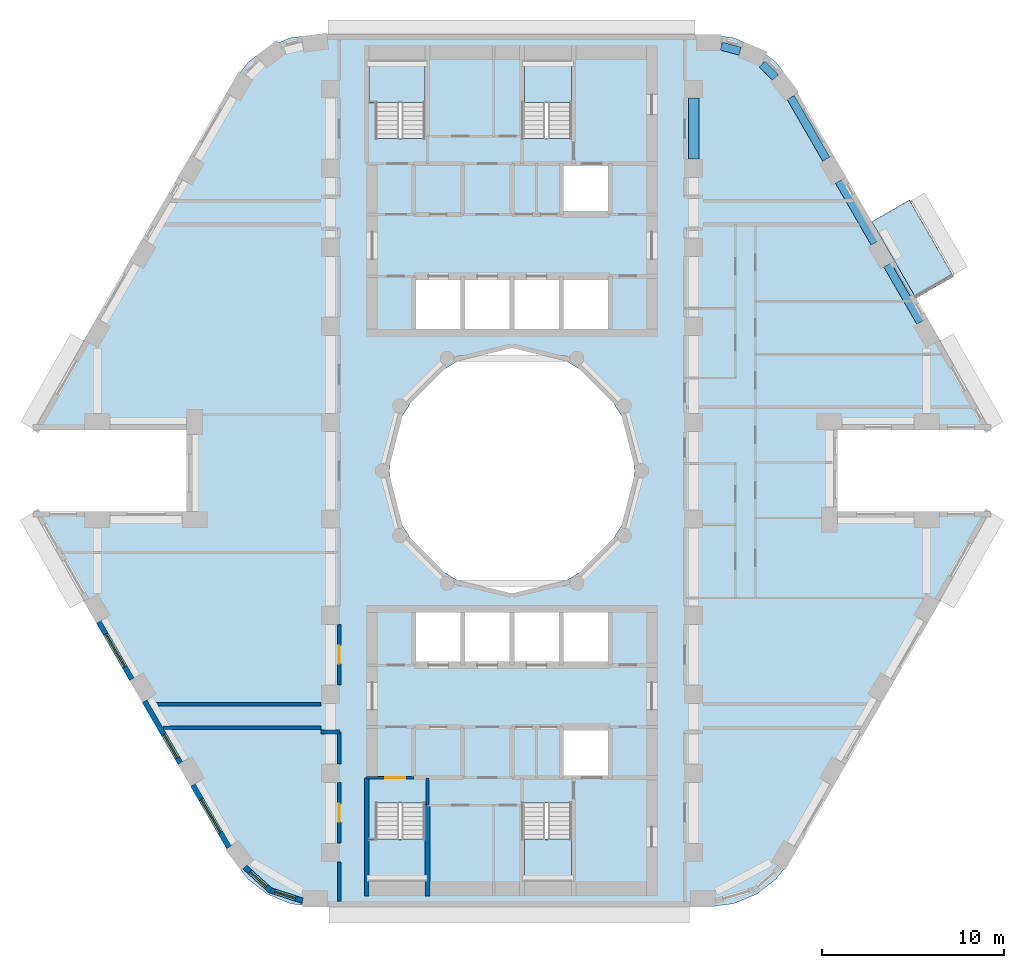
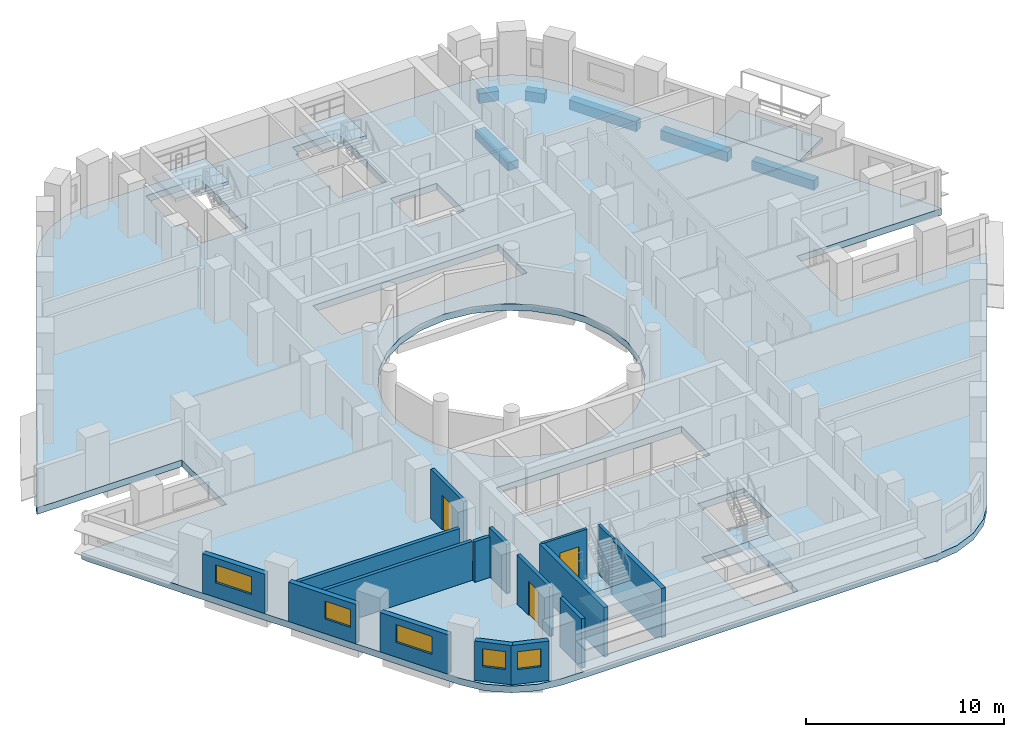
# One storey, part 2 of 13: 16 walls, 6 beams, 6 slabs, 5 windows, 3 doors, 8 openings, 4 elements without a shape of their own.
"""IFC4 building model written with IfcOpenShell, lengths in metres."""

from ifc_helpers import new_model, si_unit, direction, frame, frame_2d, origin, origin_2d, place, context, subcontext, project, spatial, polyline, rectangle, outline, extrude, material, layer, layer_set, material_profile, profile_set, type_object, element, fill, aggregate, save


model = new_model("IFC4")

# Units and contexts
model_context = context("Model", 3, precision=1e-05, world=origin(), true_north=direction((0.0, 1.0)))
body_context = subcontext(model_context, "Body", "Model", "MODEL_VIEW")
ifc_project = project(units=[si_unit("LENGTHUNIT", "METRE"), si_unit("AREAUNIT", "SQUARE_METRE"), si_unit("VOLUMEUNIT", "CUBIC_METRE"), si_unit("PLANEANGLEUNIT", "RADIAN"), si_unit("MASSUNIT", "GRAM", prefix="KILO")], contexts=[model_context])

# Site, building, storey
site_placement = place(None, origin())
site = spatial("IfcSite", under=ifc_project, at=site_placement, CompositionType="ELEMENT")
building_placement = place(site_placement, origin())
building = spatial("IfcBuilding", under=site, at=building_placement, Name="Nakaniwa Court", CompositionType="ELEMENT")
storey_placement = place(building_placement, frame((0.0, 0.0, 77.699951171875)))
storey = spatial("IfcBuildingStorey", under=building, at=storey_placement, Name="L19", CompositionType="ELEMENT", Elevation=77.699951171875)

# Beams
ifc_material_1 = material(Name="Concrete C80/100", Category="concrete")
ifc_material_profile_1 = material_profile(ifc_material_1, rectangle(XDim=0.449951171875, YDim=0.60009765625, at=origin_2d()), Name="Concrete C80/100 RC 450x600 spandrel beam")
ifc_profile_set_1 = profile_set([ifc_material_profile_1], Name="Concrete C80/100")
beam_type_1 = type_object("IfcBeamType", Name="Concrete C80/100 RC 450x600 spandrel beam", PredefinedType="BEAM", material=ifc_profile_set_1)
beam_1_placement = place(storey_placement, frame((102.472900390625, 88.17578125, -0.7099609375), z_axis=(-0.499988394233, 0.866032104273, 0.0), x_axis=(-0.866032104273, -0.499988394233, 0.0)))
element("IfcBeam", 1, at=beam_1_placement, inside=storey, type_object=beam_type_1, Name="SPANDREL BEAM", PredefinedType="BEAM", context=body_context, shape_type="SweptSolid", body=[
    extrude(rectangle(XDim=0.449951171875, YDim=0.60009765625, at=origin_2d()), origin(), (0.0, 0.0, 1.0), 3.62890625),
])
beam_2_placement = place(storey_placement, frame((99.95849609375, 92.531005859375, -0.7099609375), z_axis=(-0.49999161165, 0.866030246746, 0.0), x_axis=(-0.866030246746, -0.49999161165, 0.0)))
element("IfcBeam", 2, at=beam_2_placement, inside=storey, type_object=beam_type_1, Name="SPANDREL BEAM", PredefinedType="BEAM", context=body_context, shape_type="SweptSolid", body=[
    extrude(rectangle(XDim=0.449951171875, YDim=0.60009765625, at=origin_2d()), origin(), (0.0, 0.0, 1.0), 3.92578125),
])
beam_3_placement = place(storey_placement, frame((97.29541015625, 97.143310546875, -0.7099609375), z_axis=(-0.499997407846, 0.86602690036, 0.0), x_axis=(-0.86602690036, -0.499997407846, 0.0)))
element("IfcBeam", 3, at=beam_3_placement, inside=storey, type_object=beam_type_1, Name="SPANDREL BEAM", PredefinedType="BEAM", context=body_context, shape_type="SweptSolid", body=[
    extrude(rectangle(XDim=0.449951171875, YDim=0.60009765625, at=origin_2d()), origin(), (0.0, 0.0, 1.0), 3.919921875),
])
beam_4_placement = place(storey_placement, frame((94.484130859375, 101.6494140625, -0.7099609375), z_axis=(-0.705911336947, 0.7083002078, 0.0), x_axis=(-0.7083002078, -0.705911336947, 0.0)))
element("IfcBeam", 4, at=beam_4_placement, inside=storey, type_object=beam_type_1, Name="SPANDREL BEAM", PredefinedType="BEAM", context=body_context, shape_type="SweptSolid", body=[
    extrude(rectangle(XDim=0.449951171875, YDim=0.60009765625, at=origin_2d()), origin(), (0.0, 0.0, 1.0), 1.02197265625),
])
beam_5_placement = place(storey_placement, frame((92.544921875, 103.091796875, -0.7099609375), z_axis=(-0.966315487466, 0.257360406209, 0.0), x_axis=(-0.257360406209, -0.966315487466, 0.0)))
element("IfcBeam", 5, at=beam_5_placement, inside=storey, type_object=beam_type_1, Name="SPANDREL BEAM", PredefinedType="BEAM", context=body_context, shape_type="SweptSolid", body=[
    extrude(rectangle(XDim=0.449951171875, YDim=0.60009765625, at=origin_2d()), origin(), (0.0, 0.0, 1.0), 1.055908203125),
])
ifc_material_profile_2 = material_profile(ifc_material_1, rectangle(XDim=0.60009765625, YDim=0.5, at=origin_2d()), Name="Concrete C80/100 RC 600x500 ring beam")
ifc_profile_set_2 = profile_set([ifc_material_profile_2], Name="Concrete C80/100")
beam_type_2 = type_object("IfcBeamType", Name="Concrete C80/100 RC 600x500 ring beam", PredefinedType="BEAM", material=ifc_profile_set_2)
beam_6_placement = place(storey_placement, frame((90.0, 97.14990234375, -0.659912109375), z_axis=(0.0, 1.0, 0.0), x_axis=(-1.0, 0.0, 0.0)))
element("IfcBeam", 6, at=beam_6_placement, inside=storey, type_object=beam_type_2, Name="RING BEAM", PredefinedType="BEAM", context=body_context, shape_type="SweptSolid", body=[
    extrude(rectangle(XDim=0.60009765625, YDim=0.5, at=origin_2d()), origin(), (0.0, 0.0, 1.0), 3.35009765625),
])

# Slabs
ifc_material_2 = material(Name="Charcoal ceramic paver")
ifc_layer_1 = layer(ifc_material_2, 0.02, Name="Ceramic paver")
ifc_material_3 = material(Name="Cement sand screed")
ifc_layer_2 = layer(ifc_material_3, 0.03, Name="Falls screed")
ifc_material_4 = material(Name="Concrete C40/50", Category="concrete")
ifc_layer_3 = layer(ifc_material_4, 0.15, Name="Balcony slab")
ifc_layer_set_1 = layer_set([ifc_layer_1, ifc_layer_2, ifc_layer_3], Name="Concrete C40/50 balcony slab with ceramic paver finish")
slab_type_1 = type_object("IfcSlabType", Name="Balcony slab 200", PredefinedType="FLOOR", material=ifc_layer_set_1)
slab_1_placement = place(storey_placement, frame((0.0, 0.0, -0.25)))
element("IfcSlab", 7, at=slab_1_placement, inside=storey, type_object=slab_type_1, Name="L19 balcony 01", PredefinedType="FLOOR", context=body_context, shape_type="SweptSolid", body=[
    extrude(outline(polyline([(102.230712890625, 89.49560546875), (99.797607421875, 93.7099609375), (101.8759765625, 94.909912109375), (104.30908203125, 90.695556640625), (102.230712890625, 89.49560546875)])), origin(), (0.0, 0.0, 1.0), 0.199951171875),
])
ifc_layer_4 = layer(ifc_material_1, 0.409912109375)
ifc_layer_set_2 = layer_set([ifc_layer_4], Name="Concrete C80/100")
slab_type_2 = type_object("IfcSlabType", Name="Concrete C80/100 post tensioned floor slab 410", PredefinedType="FLOOR", material=ifc_layer_set_2)
slab_2_placement = place(storey_placement, frame((0.0, 0.0, -0.409912109375)))
element("IfcSlab", 8, at=slab_2_placement, inside=storey, type_object=slab_type_2, Name="FLOOR SLAB", PredefinedType="FLOOR", context=body_context, shape_type="SweptSolid", body=[
    extrude(outline(polyline([(97.908447265625, 82.25), (106.356689453125, 82.25), (106.211669921875, 82.60009765625), (95.357421875, 101.39990234375), (94.531005859375, 102.47705078125), (93.4541015625, 103.30322265625), (92.199951171875, 103.82275390625), (90.854248046875, 104.0), (69.145751953125, 104.0), (67.800048828125, 103.82275390625), (66.5458984375, 103.30322265625), (65.468994140625, 102.47705078125), (64.642578125, 101.39990234375), (53.788330078125, 82.60009765625), (53.643310546875, 82.25), (62.091552734375, 82.25), (62.091552734375, 77.75), (53.643310546875, 77.75), (53.788330078125, 77.39990234375), (64.642578125, 58.60009765625), (65.468994140625, 57.52294921875), (66.5458984375, 56.69677734375), (67.800048828125, 56.17724609375), (69.145751953125, 56.0), (90.854248046875, 56.0), (92.199951171875, 56.17724609375), (93.4541015625, 56.69677734375), (94.531005859375, 57.52294921875), (95.357421875, 58.60009765625), (106.211669921875, 77.39990234375), (106.356689453125, 77.75), (97.908447265625, 77.75), (97.908447265625, 82.25)]), holes=[polyline([(81.501953125, 86.580810546875), (80.0, 86.75), (78.498046875, 86.580810546875), (77.0712890625, 86.08154296875), (75.79150390625, 85.27734375), (74.72265625, 84.20849609375), (73.91845703125, 82.9287109375), (73.419189453125, 81.501953125), (73.25, 80.0), (73.419189453125, 78.498046875), (73.91845703125, 77.0712890625), (74.72265625, 75.79150390625), (75.79150390625, 74.72265625), (77.0712890625, 73.91845703125), (78.498046875, 73.419189453125), (80.0, 73.25), (81.501953125, 73.419189453125), (82.9287109375, 73.91845703125), (84.20849609375, 74.72265625), (85.27734375, 75.79150390625), (86.08154296875, 77.0712890625), (86.580810546875, 78.498046875), (86.75, 80.0), (86.580810546875, 81.501953125), (86.08154296875, 82.9287109375), (85.27734375, 84.20849609375), (84.20849609375, 85.27734375), (82.9287109375, 86.08154296875), (81.501953125, 86.580810546875)]), polyline([(75.264892578125, 57.360107421875), (75.264892578125, 59.764892578125), (75.22509765625, 59.764892578125), (75.22509765625, 61.7099609375), (72.47509765625, 61.7099609375), (72.47509765625, 59.764892578125), (72.0849609375, 59.764892578125), (72.0849609375, 57.360107421875), (72.125, 57.360107421875), (72.125, 56.72509765625), (75.22509765625, 56.72509765625), (75.22509765625, 57.324951171875), (75.22509765625, 57.360107421875), (75.264892578125, 57.360107421875)]), polyline([(80.0, 69.300048828125), (82.699951171875, 69.300048828125), (85.39990234375, 69.300048828125), (85.39990234375, 72.199951171875), (82.699951171875, 72.199951171875), (80.0, 72.199951171875), (77.300048828125, 72.199951171875), (74.60009765625, 72.199951171875), (74.60009765625, 69.300048828125), (77.300048828125, 69.300048828125), (80.0, 69.300048828125)]), polyline([(80.0, 87.800048828125), (82.699951171875, 87.800048828125), (85.39990234375, 87.800048828125), (85.39990234375, 90.699951171875), (82.699951171875, 90.699951171875), (80.0, 90.699951171875), (77.300048828125, 90.699951171875), (74.60009765625, 90.699951171875), (74.60009765625, 87.800048828125), (77.300048828125, 87.800048828125), (80.0, 87.800048828125)]), polyline([(75.264892578125, 100.235107421875), (75.264892578125, 102.639892578125), (75.22509765625, 102.639892578125), (75.22509765625, 102.675048828125), (75.22509765625, 103.27490234375), (72.125, 103.27490234375), (72.125, 102.639892578125), (72.0849609375, 102.639892578125), (72.0849609375, 100.235107421875), (72.47509765625, 100.235107421875), (72.47509765625, 98.2900390625), (75.22509765625, 98.2900390625), (75.22509765625, 100.235107421875), (75.264892578125, 100.235107421875)]), polyline([(83.27490234375, 61.7099609375), (80.52490234375, 61.7099609375), (80.52490234375, 57.324951171875), (80.675048828125, 57.324951171875), (80.675048828125, 56.72509765625), (83.27490234375, 56.72509765625), (83.27490234375, 57.324951171875), (83.27490234375, 57.360107421875), (83.31494140625, 57.360107421875), (83.31494140625, 59.764892578125), (83.27490234375, 59.764892578125), (83.27490234375, 61.7099609375)]), polyline([(85.39990234375, 65.89990234375), (82.699951171875, 65.89990234375), (82.699951171875, 63.10009765625), (85.39990234375, 63.10009765625), (85.39990234375, 65.89990234375)]), polyline([(85.39990234375, 96.89990234375), (82.699951171875, 96.89990234375), (82.699951171875, 94.10009765625), (85.39990234375, 94.10009765625), (85.39990234375, 96.89990234375)]), polyline([(83.27490234375, 100.235107421875), (83.31494140625, 100.235107421875), (83.31494140625, 102.639892578125), (83.27490234375, 102.639892578125), (83.27490234375, 102.675048828125), (83.27490234375, 103.27490234375), (80.675048828125, 103.27490234375), (80.675048828125, 102.675048828125), (80.52490234375, 102.675048828125), (80.52490234375, 98.2900390625), (83.27490234375, 98.2900390625), (83.27490234375, 100.235107421875)])]), origin(), (0.0, 0.0, 1.0), 0.409912109375),
])

# Stair, slab
stair_type = type_object("IfcStairType", Name="Dog leg stair 1300 wide 18 risers", PredefinedType="HALF_TURN_STAIR", material=ifc_material_1)
stair_1_placement = place(storey_placement, origin())
stair_1 = element("IfcStair", 9, at=stair_1_placement, inside=storey, type_object=stair_type, Name="L19 Stair ST1", PredefinedType="HALF_TURN_STAIR")
ifc_layer_5 = layer(ifc_material_1, 0.199951171875)
ifc_layer_set_3 = layer_set([ifc_layer_5], Name="Concrete C80/100")
slab_type_3 = type_object("IfcSlabType", Name="Stair landing concrete", PredefinedType="LANDING", material=ifc_layer_set_3)
slab_3_placement = place(storey_placement, frame((0.0, 0.0, 1.449951171875)))
slab_3 = element("IfcSlab", 10, at=slab_3_placement, type_object=slab_type_3, Name="ST1 landing 1", PredefinedType="LANDING", context=body_context, shape_type="SweptSolid", body=[
    extrude(outline(polyline([(75.22509765625, 100.27490234375), (75.22509765625, 102.60009765625), (72.125, 102.60009765625), (72.125, 100.27490234375), (75.22509765625, 100.27490234375)])), origin(), (0.0, 0.0, 1.0), 0.2001953125),
])
aggregate(stair_1, [slab_3])

stair_2_placement = place(storey_placement, origin())
stair_2 = element("IfcStair", 11, at=stair_2_placement, inside=storey, type_object=stair_type, Name="L19 Stair ST2", PredefinedType="HALF_TURN_STAIR")
slab_4_placement = place(storey_placement, frame((0.0, 0.0, 1.449951171875)))
slab_4 = element("IfcSlab", 12, at=slab_4_placement, type_object=slab_type_3, Name="ST2 landing 1", PredefinedType="LANDING", context=body_context, shape_type="SweptSolid", body=[
    extrude(outline(polyline([(83.27490234375, 100.27490234375), (83.27490234375, 102.60009765625), (80.675048828125, 102.60009765625), (80.675048828125, 100.27490234375), (83.27490234375, 100.27490234375)])), origin(), (0.0, 0.0, 1.0), 0.2001953125),
])
aggregate(stair_2, [slab_4])

stair_3_placement = place(storey_placement, origin())
stair_3 = element("IfcStair", 13, at=stair_3_placement, inside=storey, type_object=stair_type, Name="L19 Stair ST3", PredefinedType="HALF_TURN_STAIR")
slab_5_placement = place(storey_placement, frame((0.0, 0.0, 1.449951171875)))
slab_5 = element("IfcSlab", 14, at=slab_5_placement, type_object=slab_type_3, Name="ST3 landing 1", PredefinedType="LANDING", context=body_context, shape_type="SweptSolid", body=[
    extrude(outline(polyline([(75.22509765625, 57.39990234375), (75.22509765625, 59.72509765625), (72.125, 59.72509765625), (72.125, 57.39990234375), (75.22509765625, 57.39990234375)])), origin(), (0.0, 0.0, 1.0), 0.2001953125),
])
aggregate(stair_3, [slab_5])

stair_4_placement = place(storey_placement, origin())
stair_4 = element("IfcStair", 15, at=stair_4_placement, inside=storey, type_object=stair_type, Name="L19 Stair ST4", PredefinedType="HALF_TURN_STAIR")
slab_6_placement = place(storey_placement, frame((0.0, 0.0, 1.449951171875)))
slab_6 = element("IfcSlab", 16, at=slab_6_placement, type_object=slab_type_3, Name="ST4 landing 1", PredefinedType="LANDING", context=body_context, shape_type="SweptSolid", body=[
    extrude(outline(polyline([(83.27490234375, 57.39990234375), (83.27490234375, 59.72509765625), (80.675048828125, 59.72509765625), (80.675048828125, 57.39990234375), (83.27490234375, 57.39990234375)])), origin(), (0.0, 0.0, 1.0), 0.2001953125),
])
aggregate(stair_4, [slab_6])

# Walls
ifc_material_5 = material(Name="Acoustic double stud partition")
ifc_layer_6 = layer(ifc_material_5, 0.199951171875)
ifc_layer_set_4 = layer_set([ifc_layer_6], Name="Acoustic double stud partition")
wall_type_1 = type_object("IfcWallType", Name="Acoustic double stud partition 200", PredefinedType="PARTITIONING", material=ifc_layer_set_4)
wall_1_placement = place(storey_placement, frame((60.052490234375, 67.14990234375, 0.0), z_axis=(0.0, 0.0, 1.0), x_axis=(1.0, 0.0, 0.0)))
element("IfcWall", 17, at=wall_1_placement, inside=storey, type_object=wall_type_1, Name="Partition PW-089", PredefinedType="PARTITIONING", context=body_context, shape_type="SweptSolid", body=[
    extrude(rectangle(XDim=9.447509765625, YDim=0.199951171875, at=frame_2d((4.7236328125, 0.0))), origin(), (0.0, 0.0, 1.0), 2.405029296875),
])
wall_2_placement = place(storey_placement, frame((60.802978515625, 65.85009765625, 0.0), z_axis=(0.0, 0.0, 1.0), x_axis=(1.0, 0.0, 0.0)))
element("IfcWall", 18, at=wall_2_placement, inside=storey, type_object=wall_type_1, Name="Partition PW-091", PredefinedType="PARTITIONING", context=body_context, shape_type="SweptSolid", body=[
    extrude(rectangle(XDim=8.697021484375, YDim=0.199951171875, at=frame_2d((4.3486328125, 0.0))), origin(), (0.0, 0.0, 1.0), 2.405029296875),
])
wall_3_placement = place(storey_placement, frame((69.5, 65.625, 0.0), z_axis=(0.0, 0.0, 1.0), x_axis=(1.0, 0.0, 0.0)))
element("IfcWall", 19, at=wall_3_placement, inside=storey, type_object=wall_type_1, Name="Partition PW-093", PredefinedType="PARTITIONING", context=body_context, shape_type="SweptSolid", body=[
    extrude(rectangle(XDim=1.0, YDim=0.199951171875, at=frame_2d((0.5, 0.0))), origin(), (0.0, 0.0, 1.0), 2.505126953125),
])
wall_4_placement = place(storey_placement, frame((70.5, 56.300048828125, 0.0), z_axis=(0.0, 0.0, 1.0), x_axis=(0.0, 1.0, 0.0)))
element("IfcWall", 20, at=wall_4_placement, inside=storey, type_object=wall_type_1, Name="Partition PW-095", PredefinedType="PARTITIONING", context=body_context, shape_type="SweptSolid", body=[
    extrude(rectangle(XDim=2.182861328125, YDim=0.199951171875, at=frame_2d((1.09130859375, 0.0))), origin(), (0.0, 0.0, 1.0), 3.025146484375),
])

# Wall, opening, door
wall_5_placement = place(storey_placement, frame((70.5, 59.51708984375, 0.0), z_axis=(0.0, 0.0, 1.0), x_axis=(0.0, 1.0, 0.0)))
wall_5 = element("IfcWall", 21, at=wall_5_placement, inside=storey, type_object=wall_type_1, Name="Partition PW-096", PredefinedType="PARTITIONING", context=body_context, shape_type="SweptSolid", body=[
    extrude(rectangle(XDim=3.31591796875, YDim=0.199951171875, at=frame_2d((1.657958984375, 0.0))), origin(), (0.0, 0.0, 1.0), 3.025146484375),
])
opening_1_placement = place(wall_5_placement, frame((1.157958984375, 0.0, 0.0)))
opening_1 = element("IfcOpeningElement", 22, at=opening_1_placement, cuts=wall_5, Name="Opening D-02-03", PredefinedType="OPENING", context=body_context, shape_type="SweptSolid", body=[
    extrude(rectangle(XDim=1.0, YDim=2.10009765625, at=frame_2d((0.5, 1.050048828125))), frame((0.0, 0.10986328125, 0.0), z_axis=(0.0, -1.0, 0.0), x_axis=(1.0, 0.0, 0.0)), (0.0, 0.0, 1.0), 0.219970703125),
])
ifc_material_6 = material(Name="Solid core timber door set, black veneer", Category="wood")
door_type_1 = type_object("IfcDoorType", Name="Internal door 1000", OperationType="NOTDEFINED", PredefinedType="DOOR", material=ifc_material_6)
door_1_placement = place(opening_1_placement, origin())
door_1 = element("IfcDoor", 23, at=door_1_placement, inside=storey, type_object=door_type_1, Name="Door D-02-03 L19-041", OperationType="SINGLE_SWING_RIGHT", OverallHeight=2.10009765625, OverallWidth=1.0, PredefinedType="DOOR", context=body_context, shape_type="SweptSolid", body=[
    extrude(rectangle(XDim=1.0, YDim=2.10009765625, at=frame_2d((0.5, 1.050048828125))), frame((0.0, 0.02490234375, 0.0), z_axis=(0.0, -1.0, 0.0), x_axis=(1.0, 0.0, 0.0)), (0.0, 0.0, 1.0), 0.050048828125),
])
fill(opening_1, door_1)

# Wall
wall_6_placement = place(storey_placement, frame((70.5, 63.866943359375, 0.0), z_axis=(0.0, 0.0, 1.0), x_axis=(0.0, 1.0, 0.0)))
element("IfcWall", 24, at=wall_6_placement, inside=storey, type_object=wall_type_1, Name="Partition PW-097", PredefinedType="PARTITIONING", context=body_context, shape_type="SweptSolid", body=[
    extrude(rectangle(XDim=1.760986328125, YDim=0.199951171875, at=frame_2d((0.88037109375, 0.0))), origin(), (0.0, 0.0, 1.0), 3.025146484375),
])

# Wall, opening, door
wall_7_placement = place(storey_placement, frame((70.5, 68.217041015625, 0.0), z_axis=(0.0, 0.0, 1.0), x_axis=(0.0, 1.0, 0.0)))
wall_7 = element("IfcWall", 25, at=wall_7_placement, inside=storey, type_object=wall_type_1, Name="Partition PW-098", PredefinedType="PARTITIONING", context=body_context, shape_type="SweptSolid", body=[
    extrude(rectangle(XDim=3.31591796875, YDim=0.199951171875, at=frame_2d((1.657958984375, 0.0))), origin(), (0.0, 0.0, 1.0), 3.025146484375),
])
opening_2_placement = place(wall_7_placement, frame((1.157958984375, 0.0, 0.0)))
opening_2 = element("IfcOpeningElement", 26, at=opening_2_placement, cuts=wall_7, Name="Opening D-02-04", PredefinedType="OPENING", context=body_context, shape_type="SweptSolid", body=[
    extrude(rectangle(XDim=1.0, YDim=2.10009765625, at=frame_2d((0.5, 1.050048828125))), frame((0.0, 0.10986328125, 0.0), z_axis=(0.0, -1.0, 0.0), x_axis=(1.0, 0.0, 0.0)), (0.0, 0.0, 1.0), 0.219970703125),
])
door_2_placement = place(opening_2_placement, origin())
door_2 = element("IfcDoor", 27, at=door_2_placement, inside=storey, type_object=door_type_1, Name="Door D-02-04 L19-042", OperationType="SINGLE_SWING_LEFT", OverallHeight=2.10009765625, OverallWidth=1.0, PredefinedType="DOOR", context=body_context, shape_type="SweptSolid", body=[
    extrude(rectangle(XDim=1.0, YDim=2.10009765625, at=frame_2d((0.5, 1.050048828125))), frame((0.0, 0.02490234375, 0.0), z_axis=(0.0, -1.0, 0.0), x_axis=(1.0, 0.0, 0.0)), (0.0, 0.0, 1.0), 0.050048828125),
])
fill(opening_2, door_2)

# Wall, opening, window
ifc_material_7 = material(Name="Charcoal ceramic cladding")
ifc_layer_7 = layer(ifc_material_7, 0.02, Name="Ceramic cladding")
ifc_material_8 = material(Name="Ventilated air cavity")
ifc_layer_8 = layer(ifc_material_8, 0.04, ventilated=True, Name="Ventilated cavity")
ifc_material_9 = material(Name="Mineral wool insulation")
ifc_layer_9 = layer(ifc_material_9, 0.1, Name="Insulation")
ifc_material_10 = material(Name="Cement bonded sheathing board")
ifc_layer_10 = layer(ifc_material_10, 0.012, Name="Sheathing")
ifc_material_11 = material(Name="Cold-formed galvanised stud frame with mineral wool infill")
ifc_layer_11 = layer(ifc_material_11, 0.1, Name="Stud frame")
ifc_material_12 = material(Name="Fire-rated gypsum plasterboard lining")
ifc_layer_12 = layer(ifc_material_12, 0.028, Name="Lining")
ifc_layer_set_5 = layer_set([ifc_layer_7, ifc_layer_8, ifc_layer_9, ifc_layer_10, ifc_layer_11, ifc_layer_12], Name="Charcoal ceramic faced external wall system")
wall_type_2 = type_object("IfcWallType", Name="Black ceramic faced external wall 300", PredefinedType="SOLIDWALL", material=ifc_layer_set_5)
wall_8_placement = place(storey_placement, frame((57.265380859375, 71.677490234375, 0.0), z_axis=(0.0, 0.0, 1.0), x_axis=(0.500009139881, -0.866020126807, 0.0)))
wall_8 = element("IfcWall", 28, at=wall_8_placement, inside=storey, type_object=wall_type_2, Name="L19 external wall 21", PredefinedType="SOLIDWALL", context=body_context, shape_type="SweptSolid", body=[
    extrude(rectangle(XDim=3.63671875, YDim=0.300048828125, at=frame_2d((1.818359375, 0.0))), origin(), (0.0, 0.0, 1.0), 2.425048828125),
])
opening_3_placement = place(wall_8_placement, frame((0.768310546875, 0.0, 0.89990234375)))
opening_3 = element("IfcOpeningElement", 29, at=opening_3_placement, cuts=wall_8, Name="Opening W7.22", PredefinedType="OPENING", context=body_context, shape_type="SweptSolid", body=[
    extrude(rectangle(XDim=2.10009765625, YDim=1.10009765625, at=frame_2d((1.050048828125, 0.550048828125))), frame((0.0, 0.159912109375, 0.0), z_axis=(0.0, -1.0, 0.0), x_axis=(1.0, 0.0, 0.0)), (0.0, 0.0, 1.0), 0.320068359375),
])
ifc_material_13 = material(Name="Black anodised aluminium frame with dark low-E laminated double glazing", Category="aluminium")
window_type_1 = type_object("IfcWindowType", Name="Dark glass window 2100x1100 sill 900", PartitioningType="SINGLE_PANEL", PredefinedType="WINDOW", material=ifc_material_13)
window_1_placement = place(opening_3_placement, origin())
window_1 = element("IfcWindow", 30, at=window_1_placement, inside=storey, type_object=window_type_1, Name="L19 habitable room window 21-0", OverallHeight=1.10009765625, OverallWidth=2.10009765625, PartitioningType="SINGLE_PANEL", PredefinedType="WINDOW", context=body_context, shape_type="SweptSolid", body=[
    extrude(rectangle(XDim=2.10009765625, YDim=1.10009765625, at=frame_2d((1.050048828125, 0.550048828125))), frame((0.0, 0.030029296875, 0.0), z_axis=(0.0, -1.0, 0.0), x_axis=(1.0, 0.0, 0.0)), (0.0, 0.0, 1.0), 0.06005859375),
])
fill(opening_3, window_1)

wall_9_placement = place(storey_placement, frame((59.77978515625, 67.322509765625, 0.0), z_axis=(0.0, 0.0, 1.0), x_axis=(0.499957037901, -0.866050206543, 0.0)))
wall_9 = element("IfcWall", 31, at=wall_9_placement, inside=storey, type_object=wall_type_2, Name="L19 external wall 22", PredefinedType="SOLIDWALL", context=body_context, shape_type="SweptSolid", body=[
    extrude(rectangle(XDim=3.933837890625, YDim=0.300048828125, at=frame_2d((1.966796875, 0.0))), origin(), (0.0, 0.0, 1.0), 2.425048828125),
])
opening_4_placement = place(wall_9_placement, frame((2.104248046875, 0.0, 0.89990234375)))
opening_4 = element("IfcOpeningElement", 32, at=opening_4_placement, cuts=wall_9, Name="Opening W5.23", PredefinedType="OPENING", context=body_context, shape_type="SweptSolid", body=[
    extrude(rectangle(XDim=1.5, YDim=1.10009765625, at=frame_2d((0.75, 0.550048828125))), frame((0.0, 0.159912109375, 0.0), z_axis=(0.0, -1.0, 0.0), x_axis=(1.0, 0.0, 0.0)), (0.0, 0.0, 1.0), 0.320068359375),
])
window_type_2 = type_object("IfcWindowType", Name="Dark glass window 1500x1100 sill 900", PartitioningType="SINGLE_PANEL", PredefinedType="WINDOW", material=ifc_material_13)
window_2_placement = place(opening_4_placement, origin())
window_2 = element("IfcWindow", 33, at=window_2_placement, inside=storey, type_object=window_type_2, Name="L19 habitable room window 22-2", OverallHeight=1.10009765625, OverallWidth=1.5, PartitioningType="SINGLE_PANEL", PredefinedType="WINDOW", context=body_context, shape_type="SweptSolid", body=[
    extrude(rectangle(XDim=1.5, YDim=1.10009765625, at=frame_2d((0.75, 0.550048828125))), frame((0.0, 0.030029296875, 0.0), z_axis=(0.0, -1.0, 0.0), x_axis=(1.0, 0.0, 0.0)), (0.0, 0.0, 1.0), 0.06005859375),
])
fill(opening_4, window_2)

wall_10_placement = place(storey_placement, frame((62.442626953125, 62.710205078125, 0.0), z_axis=(0.0, 0.0, 1.0), x_axis=(0.500043828347, -0.866000097998, 0.0)))
wall_10 = element("IfcWall", 34, at=wall_10_placement, inside=storey, type_object=wall_type_2, Name="L19 external wall 23", PredefinedType="SOLIDWALL", context=body_context, shape_type="SweptSolid", body=[
    extrude(rectangle(XDim=3.967529296875, YDim=0.300048828125, at=frame_2d((1.98388671875, 0.0))), origin(), (0.0, 0.0, 1.0), 2.425048828125),
])
opening_5_placement = place(wall_10_placement, frame((0.92236328125, 0.0, 0.89990234375)))
opening_5 = element("IfcOpeningElement", 35, at=opening_5_placement, cuts=wall_10, Name="Opening W7.24", PredefinedType="OPENING", context=body_context, shape_type="SweptSolid", body=[
    extrude(rectangle(XDim=2.10009765625, YDim=1.10009765625, at=frame_2d((1.050048828125, 0.550048828125))), frame((0.0, 0.159912109375, 0.0), z_axis=(0.0, -1.0, 0.0), x_axis=(1.0, 0.0, 0.0)), (0.0, 0.0, 1.0), 0.320068359375),
])
window_3_placement = place(opening_5_placement, origin())
window_3 = element("IfcWindow", 36, at=window_3_placement, inside=storey, type_object=window_type_1, Name="L19 habitable room window 23-0", OverallHeight=1.10009765625, OverallWidth=2.10009765625, PartitioningType="SINGLE_PANEL", PredefinedType="WINDOW", context=body_context, shape_type="SweptSolid", body=[
    extrude(rectangle(XDim=2.10009765625, YDim=1.10009765625, at=frame_2d((1.050048828125, 0.550048828125))), frame((0.0, 0.030029296875, 0.0), z_axis=(0.0, -1.0, 0.0), x_axis=(1.0, 0.0, 0.0)), (0.0, 0.0, 1.0), 0.06005859375),
])
fill(opening_5, window_3)

wall_11_placement = place(storey_placement, frame((65.294921875, 58.18603515625, 0.0), z_axis=(0.0, 0.0, 1.0), x_axis=(0.740421367382, -0.672142989791, 0.0)))
wall_11 = element("IfcWall", 37, at=wall_11_placement, inside=storey, type_object=wall_type_2, Name="L19 external wall 24", PredefinedType="SOLIDWALL", context=body_context, shape_type="SweptSolid", body=[
    extrude(rectangle(XDim=1.92724609375, YDim=0.300048828125, at=frame_2d((0.963623046875, 0.0))), origin(), (0.0, 0.0, 1.0), 2.425048828125),
])
opening_6_placement = place(wall_11_placement, frame((0.39111328125, 0.0, 0.89990234375)))
opening_6 = element("IfcOpeningElement", 38, at=opening_6_placement, cuts=wall_11, Name="Opening W6.25", PredefinedType="OPENING", context=body_context, shape_type="SweptSolid", body=[
    extrude(rectangle(XDim=1.199951171875, YDim=1.10009765625, at=frame_2d((0.60009765625, 0.550048828125))), frame((0.0, 0.159912109375, 0.0), z_axis=(0.0, -1.0, 0.0), x_axis=(1.0, 0.0, 0.0)), (0.0, 0.0, 1.0), 0.320068359375),
])
window_type_3 = type_object("IfcWindowType", Name="Dark glass window 1200x1100 sill 900", PartitioningType="SINGLE_PANEL", PredefinedType="WINDOW", material=ifc_material_13)
window_4_placement = place(opening_6_placement, origin())
window_4 = element("IfcWindow", 39, at=window_4_placement, inside=storey, type_object=window_type_3, Name="L19 habitable room window 24-0", OverallHeight=1.10009765625, OverallWidth=1.199951171875, PartitioningType="SINGLE_PANEL", PredefinedType="WINDOW", context=body_context, shape_type="SweptSolid", body=[
    extrude(rectangle(XDim=1.199951171875, YDim=1.10009765625, at=frame_2d((0.60009765625, 0.550048828125))), frame((0.0, 0.030029296875, 0.0), z_axis=(0.0, -1.0, 0.0), x_axis=(1.0, 0.0, 0.0)), (0.0, 0.0, 1.0), 0.06005859375),
])
fill(opening_6, window_4)

wall_12_placement = place(storey_placement, frame((66.625, 56.939453125, 0.0), z_axis=(0.0, 0.0, 1.0), x_axis=(0.950777961763, -0.309872985958, 0.0)))
wall_12 = element("IfcWall", 40, at=wall_12_placement, inside=storey, type_object=wall_type_2, Name="L19 external wall 25", PredefinedType="SOLIDWALL", context=body_context, shape_type="SweptSolid", body=[
    extrude(rectangle(XDim=1.949951171875, YDim=0.300048828125, at=frame_2d((0.97509765625, 0.0))), origin(), (0.0, 0.0, 1.0), 2.425048828125),
])
opening_7_placement = place(wall_12_placement, frame((0.334716796875, 0.0, 0.89990234375)))
opening_7 = element("IfcOpeningElement", 41, at=opening_7_placement, cuts=wall_12, Name="Opening W6.26", PredefinedType="OPENING", context=body_context, shape_type="SweptSolid", body=[
    extrude(rectangle(XDim=1.199951171875, YDim=1.10009765625, at=frame_2d((0.60009765625, 0.550048828125))), frame((0.0, 0.159912109375, 0.0), z_axis=(0.0, -1.0, 0.0), x_axis=(1.0, 0.0, 0.0)), (0.0, 0.0, 1.0), 0.320068359375),
])
window_5_placement = place(opening_7_placement, origin())
window_5 = element("IfcWindow", 42, at=window_5_placement, inside=storey, type_object=window_type_3, Name="L19 habitable room window 25-0", OverallHeight=1.10009765625, OverallWidth=1.199951171875, PartitioningType="SINGLE_PANEL", PredefinedType="WINDOW", context=body_context, shape_type="SweptSolid", body=[
    extrude(rectangle(XDim=1.199951171875, YDim=1.10009765625, at=frame_2d((0.60009765625, 0.550048828125))), frame((0.0, 0.030029296875, 0.0), z_axis=(0.0, -1.0, 0.0), x_axis=(1.0, 0.0, 0.0)), (0.0, 0.0, 1.0), 0.06005859375),
])
fill(opening_7, window_5)

# Wall, opening, door
ifc_layer_13 = layer(ifc_material_1, 0.14990234375)
ifc_layer_set_6 = layer_set([ifc_layer_13], Name="Concrete C80/100")
wall_type_3 = type_object("IfcWallType", Name="Concrete core wall 150 C80", PredefinedType="SHEAR", material=ifc_layer_set_6)
wall_13_placement = place(storey_placement, frame((72.0, 63.10009765625, -0.409912109375), z_axis=(0.0, 0.0, 1.0), x_axis=(1.0, 0.0, 0.0)))
wall_13 = element("IfcWall", 43, at=wall_13_placement, inside=storey, type_object=wall_type_3, Name="Core wall SW-56", PredefinedType="SHEAR", context=body_context, shape_type="SweptSolid", body=[
    extrude(rectangle(XDim=2.60009765625, YDim=0.14990234375, at=frame_2d((1.300048828125, 0.0))), origin(), (0.0, 0.0, 1.0), 3.43505859375),
])
opening_8_placement = place(wall_13_placement, frame((1.02001953125, 0.0, 0.409912109375)))
opening_8 = element("IfcOpeningElement", 44, at=opening_8_placement, cuts=wall_13, Name="Opening D-09-02", PredefinedType="OPENING", context=body_context, shape_type="SweptSolid", body=[
    extrude(rectangle(XDim=1.10009765625, YDim=2.10009765625, at=frame_2d((0.550048828125, 1.050048828125))), frame((0.0, 0.0849609375, 0.0), z_axis=(0.0, -1.0, 0.0), x_axis=(1.0, 0.0, 0.0)), (0.0, 0.0, 1.0), 0.169921875),
])
ifc_material_14 = material(Name="Fire rated steel door set", Category="steel")
door_type_2 = type_object("IfcDoorType", Name="Stair door 1100", OperationType="NOTDEFINED", PredefinedType="DOOR", material=ifc_material_14)
door_3_placement = place(opening_8_placement, origin())
door_3 = element("IfcDoor", 45, at=door_3_placement, inside=storey, type_object=door_type_2, Name="Door D-09-02 L19-025", OperationType="SINGLE_SWING_LEFT", OverallHeight=2.10009765625, OverallWidth=1.10009765625, PredefinedType="DOOR", context=body_context, shape_type="SweptSolid", body=[
    extrude(rectangle(XDim=1.10009765625, YDim=2.10009765625, at=frame_2d((0.550048828125, 1.050048828125))), frame((0.0, 0.02490234375, 0.0), z_axis=(0.0, -1.0, 0.0), x_axis=(1.0, 0.0, 0.0)), (0.0, 0.0, 1.0), 0.050048828125),
])
fill(opening_8, door_3)

# Walls
wall_14_placement = place(storey_placement, frame((75.35009765625, 61.596923828125, -0.409912109375), z_axis=(0.0, 0.0, 1.0), x_axis=(0.0, 1.0, 0.0)))
element("IfcWall", 46, at=wall_14_placement, inside=storey, type_object=wall_type_3, Name="Core wall SW-61", PredefinedType="SHEAR", context=body_context, shape_type="SweptSolid", body=[
    extrude(rectangle(XDim=1.503173828125, YDim=0.14990234375, at=frame_2d((0.75146484375, 0.0))), origin(), (0.0, 0.0, 1.0), 3.43505859375),
])
ifc_layer_14 = layer(ifc_material_1, 0.25)
ifc_layer_set_7 = layer_set([ifc_layer_14], Name="Concrete C80/100")
wall_type_4 = type_object("IfcWallType", Name="Concrete core wall 250 C80", PredefinedType="SHEAR", material=ifc_layer_set_7)
wall_15_placement = place(storey_placement, frame((72.0, 56.60009765625, -0.409912109375), z_axis=(0.0, 0.0, 1.0), x_axis=(0.0, 1.0, 0.0)))
element("IfcWall", 47, at=wall_15_placement, inside=storey, type_object=wall_type_4, Name="Core wall SW-63", PredefinedType="SHEAR", context=body_context, shape_type="SweptSolid", body=[
    extrude(rectangle(XDim=6.5, YDim=0.25, at=frame_2d((3.25, 0.0))), origin(), (0.0, 0.0, 1.0), 3.43505859375),
])
ifc_layer_15 = layer(ifc_material_1, 0.25)
ifc_layer_set_8 = layer_set([ifc_layer_15], Name="Concrete C80/100")
wall_type_5 = type_object("IfcWallType", Name="Concrete shaft wall 250 C80", PredefinedType="SHEAR", material=ifc_layer_set_8)
wall_16_placement = place(storey_placement, frame((75.35009765625, 56.60009765625, -0.409912109375), z_axis=(0.0, 0.0, 1.0), x_axis=(0.0, 1.0, 0.0)))
element("IfcWall", 48, at=wall_16_placement, inside=storey, type_object=wall_type_5, Name="Core wall SW-62", PredefinedType="SHEAR", context=body_context, shape_type="SweptSolid", body=[
    extrude(rectangle(XDim=5.0029296875, YDim=0.25, at=frame_2d((2.50146484375, 0.0))), origin(), (0.0, 0.0, 1.0), 3.43505859375),
])

save(model, "model.ifc")
